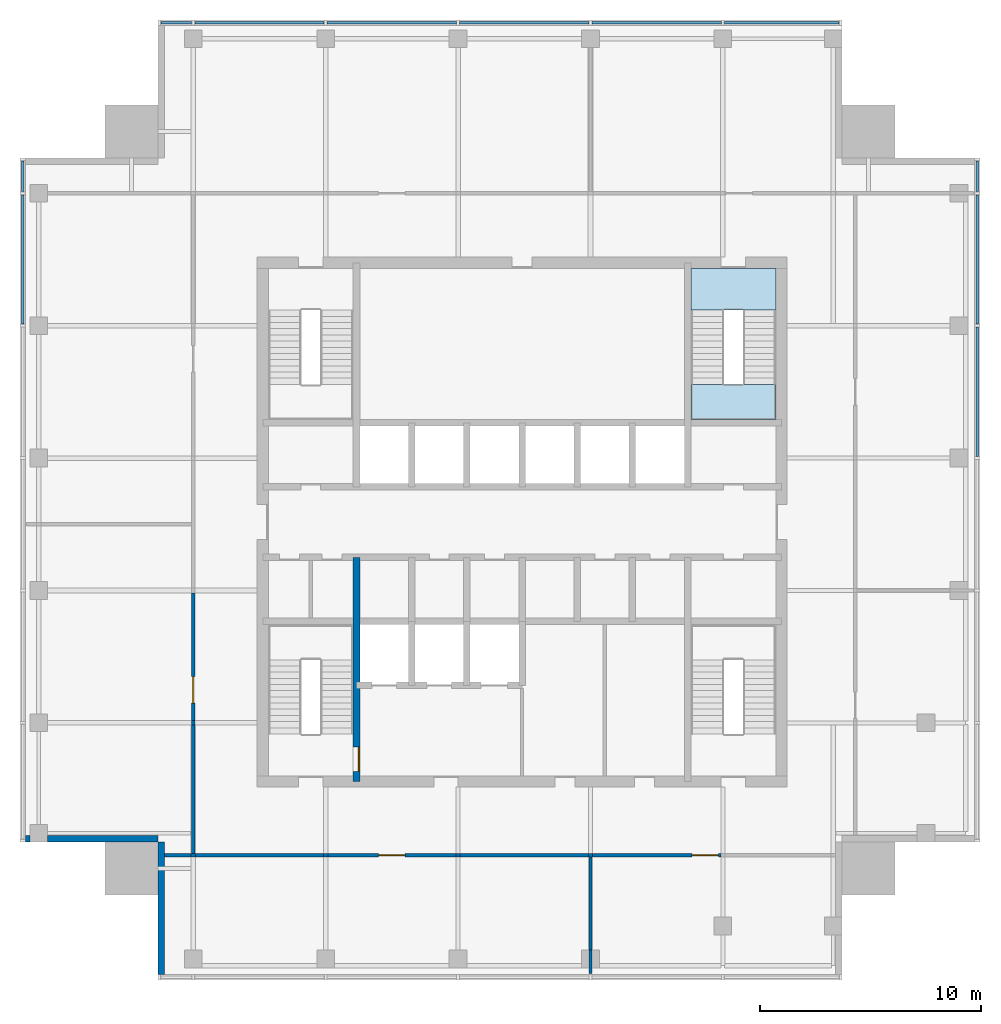
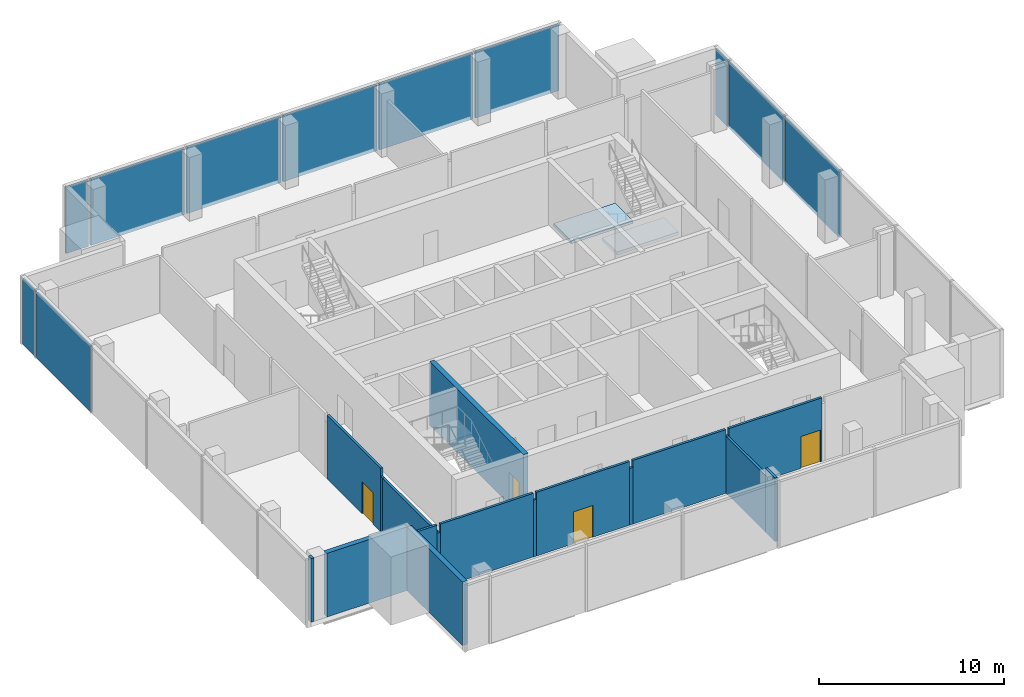
# One storey, part 3 of 7: 18 walls, 11 plates, 4 doors, 2 slabs, 4 openings, 4 elements without a shape of their own.
"""IFC4 building model written with IfcOpenShell, lengths in metres."""

from ifc_helpers import new_model, si_unit, direction, frame, frame_2d, origin, origin_2d, place, context, subcontext, project, spatial, polyline, rectangle, outline, extrude, material, layer, layer_set, type_object, element, fill, aggregate, save


model = new_model("IFC4")

# Units and contexts
model_context = context("Model", 3, precision=1e-05, world=origin(), true_north=direction((0.0, 1.0)))
body_context = subcontext(model_context, "Body", "Model", "MODEL_VIEW")
ifc_project = project(units=[si_unit("LENGTHUNIT", "METRE"), si_unit("AREAUNIT", "SQUARE_METRE"), si_unit("VOLUMEUNIT", "CUBIC_METRE"), si_unit("PLANEANGLEUNIT", "RADIAN"), si_unit("MASSUNIT", "GRAM", prefix="KILO")], contexts=[model_context])

# Site, building, storey
site_placement = place(None, origin())
site = spatial("IfcSite", under=ifc_project, at=site_placement, CompositionType="ELEMENT")
building_placement = place(site_placement, origin())
building = spatial("IfcBuilding", under=site, at=building_placement, Name="Amberfall Residences", CompositionType="ELEMENT")
storey_placement = place(building_placement, frame((0.0, 0.0, 281.800048828125)))
storey = spatial("IfcBuildingStorey", under=building, at=storey_placement, Name="L76 Crown", CompositionType="ELEMENT", Elevation=281.800048828125)

# Curtain wall, plates
ifc_material_1 = material(Name="Bronze anodised aluminium and glass", Category="aluminium")
curtain_wall_type = type_object("IfcCurtainWallType", Name="Curtain wall CW6 crown louvre", PredefinedType="USERDEFINED", material=ifc_material_1)
curtain_wall_1_placement = place(storey_placement, origin())
curtain_wall_1 = element("IfcCurtainWall", 1, at=curtain_wall_1_placement, inside=storey, type_object=curtain_wall_type, Name="Curtain wall L76 Crown E E1", ObjectType="UNITISED CURTAIN WALL", PredefinedType="USERDEFINED")
ifc_material_2 = material(Name="Bronze aluminium louvre", Category="aluminium")
ifc_layer_1 = layer(ifc_material_2, 0.1201171875)
ifc_layer_set_1 = layer_set([ifc_layer_1], Name="CW6 panel 120 louvre")
plate_type = type_object("IfcPlateType", Name="CW6 panel 120 louvre", PredefinedType="CURTAIN_PANEL", material=ifc_layer_set_1)
plate_1_placement = place(storey_placement, frame((95.125, 51.39990234375, -0.300048828125), z_axis=(0.0, 0.0, 1.0), x_axis=(0.0, 1.0, 0.0)))
plate_1 = element("IfcPlate", 2, at=plate_1_placement, type_object=plate_type, Name="CW6 panel 4.1", PredefinedType="CURTAIN_PANEL", context=body_context, shape_type="SweptSolid", body=[
    extrude(rectangle(XDim=5.85595703125, YDim=0.1201171875, at=origin_2d()), origin(), (0.0, 0.0, 1.0), 4.35009765625),
])
plate_2_placement = place(storey_placement, frame((95.125, 57.39990234375, -0.300048828125), z_axis=(0.0, 0.0, 1.0), x_axis=(0.0, 1.0, 0.0)))
plate_2 = element("IfcPlate", 3, at=plate_2_placement, type_object=plate_type, Name="CW6 panel 5.1", PredefinedType="CURTAIN_PANEL", context=body_context, shape_type="SweptSolid", body=[
    extrude(rectangle(XDim=5.85595703125, YDim=0.1201171875, at=origin_2d()), origin(), (0.0, 0.0, 1.0), 4.35009765625),
])
plate_3_placement = place(storey_placement, frame((95.125, 61.169921875, -0.300048828125), z_axis=(0.0, 0.0, 1.0), x_axis=(0.0, 1.0, 0.0)))
plate_3 = element("IfcPlate", 4, at=plate_3_placement, type_object=plate_type, Name="CW6 panel 6.1", PredefinedType="CURTAIN_PANEL", context=body_context, shape_type="SweptSolid", body=[
    extrude(rectangle(XDim=1.39599609375, YDim=0.1201171875, at=origin_2d()), origin(), (0.0, 0.0, 1.0), 4.35009765625),
])
aggregate(curtain_wall_1, [plate_1, plate_2, plate_3])

curtain_wall_2_placement = place(storey_placement, origin())
curtain_wall_2 = element("IfcCurtainWall", 5, at=curtain_wall_2_placement, inside=storey, type_object=curtain_wall_type, Name="Curtain wall L76 Crown N N1", ObjectType="UNITISED CURTAIN WALL", PredefinedType="USERDEFINED")
plate_4_placement = place(storey_placement, frame((86.27001953125, 68.125, -0.300048828125), z_axis=(0.0, 0.0, 1.0), x_axis=(-1.0, 0.0, 0.0)))
plate_4 = element("IfcPlate", 6, at=plate_4_placement, type_object=plate_type, Name="CW6 panel 1.1", PredefinedType="CURTAIN_PANEL", context=body_context, shape_type="SweptSolid", body=[
    extrude(rectangle(XDim=5.196044921875, YDim=0.1201171875, at=origin_2d()), origin(), (0.0, 0.0, 1.0), 4.35009765625),
])
plate_5_placement = place(storey_placement, frame((80.60009765625, 68.125, -0.300048828125), z_axis=(0.0, 0.0, 1.0), x_axis=(-1.0, 0.0, 0.0)))
plate_5 = element("IfcPlate", 7, at=plate_5_placement, type_object=plate_type, Name="CW6 panel 2.1", PredefinedType="CURTAIN_PANEL", context=body_context, shape_type="SweptSolid", body=[
    extrude(rectangle(XDim=5.85595703125, YDim=0.1201171875, at=origin_2d()), origin(), (0.0, 0.0, 1.0), 4.35009765625),
])
plate_6_placement = place(storey_placement, frame((74.60009765625, 68.125, -0.300048828125), z_axis=(0.0, 0.0, 1.0), x_axis=(-1.0, 0.0, 0.0)))
plate_6 = element("IfcPlate", 8, at=plate_6_placement, type_object=plate_type, Name="CW6 panel 3.1", PredefinedType="CURTAIN_PANEL", context=body_context, shape_type="SweptSolid", body=[
    extrude(rectangle(XDim=5.85595703125, YDim=0.1201171875, at=origin_2d()), origin(), (0.0, 0.0, 1.0), 4.35009765625),
])
plate_7_placement = place(storey_placement, frame((68.60009765625, 68.125, -0.300048828125), z_axis=(0.0, 0.0, 1.0), x_axis=(-1.0, 0.0, 0.0)))
plate_7 = element("IfcPlate", 9, at=plate_7_placement, type_object=plate_type, Name="CW6 panel 4.1", PredefinedType="CURTAIN_PANEL", context=body_context, shape_type="SweptSolid", body=[
    extrude(rectangle(XDim=5.85595703125, YDim=0.1201171875, at=origin_2d()), origin(), (0.0, 0.0, 1.0), 4.35009765625),
])
plate_8_placement = place(storey_placement, frame((62.60009765625, 68.125, -0.300048828125), z_axis=(0.0, 0.0, 1.0), x_axis=(-1.0, 0.0, 0.0)))
plate_8 = element("IfcPlate", 10, at=plate_8_placement, type_object=plate_type, Name="CW6 panel 5.1", PredefinedType="CURTAIN_PANEL", context=body_context, shape_type="SweptSolid", body=[
    extrude(rectangle(XDim=5.85595703125, YDim=0.1201171875, at=origin_2d()), origin(), (0.0, 0.0, 1.0), 4.35009765625),
])
plate_9_placement = place(storey_placement, frame((58.830078125, 68.125, -0.300048828125), z_axis=(0.0, 0.0, 1.0), x_axis=(-1.0, 0.0, 0.0)))
plate_9 = element("IfcPlate", 11, at=plate_9_placement, type_object=plate_type, Name="CW6 panel 6.1", PredefinedType="CURTAIN_PANEL", context=body_context, shape_type="SweptSolid", body=[
    extrude(rectangle(XDim=1.39599609375, YDim=0.1201171875, at=origin_2d()), origin(), (0.0, 0.0, 1.0), 4.35009765625),
])
aggregate(curtain_wall_2, [plate_4, plate_5, plate_6, plate_7, plate_8, plate_9])

curtain_wall_3_placement = place(storey_placement, origin())
curtain_wall_3 = element("IfcCurtainWall", 12, at=curtain_wall_3_placement, inside=storey, type_object=curtain_wall_type, Name="Curtain wall L76 Crown W W1", ObjectType="UNITISED CURTAIN WALL", PredefinedType="USERDEFINED")
plate_10_placement = place(storey_placement, frame((51.875, 61.169921875, -0.300048828125), z_axis=(0.0, 0.0, 1.0), x_axis=(0.0, -1.0, 0.0)))
plate_10 = element("IfcPlate", 13, at=plate_10_placement, type_object=plate_type, Name="CW6 panel 1.1", PredefinedType="CURTAIN_PANEL", context=body_context, shape_type="SweptSolid", body=[
    extrude(rectangle(XDim=1.39599609375, YDim=0.1201171875, at=origin_2d()), origin(), (0.0, 0.0, 1.0), 4.35009765625),
])
plate_11_placement = place(storey_placement, frame((51.875, 57.39990234375, -0.300048828125), z_axis=(0.0, 0.0, 1.0), x_axis=(0.0, -1.0, 0.0)))
plate_11 = element("IfcPlate", 14, at=plate_11_placement, type_object=plate_type, Name="CW6 panel 2.1", PredefinedType="CURTAIN_PANEL", context=body_context, shape_type="SweptSolid", body=[
    extrude(rectangle(XDim=5.85595703125, YDim=0.1201171875, at=origin_2d()), origin(), (0.0, 0.0, 1.0), 4.35009765625),
])
aggregate(curtain_wall_3, [plate_10, plate_11])

# Stair, slabs
ifc_material_3 = material(Name="Concrete C40", Category="concrete")
stair_type = type_object("IfcStairType", Name="Exit stair 26 risers 173.1 mm", PredefinedType="HALF_TURN_STAIR", material=ifc_material_3)
stair_placement = place(storey_placement, origin())
stair = element("IfcStair", 15, at=stair_placement, inside=storey, type_object=stair_type, Name="L76 Crown Exit stair 3", PredefinedType="HALF_TURN_STAIR")
ifc_layer_2 = layer(ifc_material_3, 0.199951171875)
ifc_layer_set_2 = layer_set([ifc_layer_2], Name="Stair landing 200")
slab_type = type_object("IfcSlabType", Name="Stair landing 200", PredefinedType="LANDING", material=ifc_layer_set_2)
slab_1_placement = place(storey_placement, frame((0.0, 0.0, 2.050048828125)))
slab_1 = element("IfcSlab", 16, at=slab_1_placement, type_object=slab_type, Name="ST2 landing 1", PredefinedType="LANDING", context=body_context, shape_type="SweptSolid", body=[
    extrude(outline(polyline([(82.14990234375, 51.739990234375), (82.14990234375, 50.14990234375), (86.0, 50.14990234375), (86.0, 51.739990234375), (82.14990234375, 51.739990234375)])), origin(), (0.0, 0.0, 1.0), 0.199951171875),
])
slab_2_placement = place(storey_placement, frame((0.0, 0.0, -0.199951171875)))
slab_2 = element("IfcSlab", 17, at=slab_2_placement, type_object=slab_type, Name="ST2 landing 2", PredefinedType="LANDING", context=body_context, shape_type="SweptSolid", body=[
    extrude(outline(polyline([(82.14990234375, 57.0), (82.14990234375, 55.10009765625), (86.0, 55.10009765625), (86.0, 57.0), (82.14990234375, 57.0)])), origin(), (0.0, 0.0, 1.0), 0.199951171875),
])
aggregate(stair, [slab_1, slab_2])

# Wall, opening, door
ifc_material_4 = material(Name="Concrete C50", Category="concrete")
ifc_layer_3 = layer(ifc_material_4, 0.300048828125)
ifc_layer_set_3 = layer_set([ifc_layer_3], Name="Core wall 300 C50")
wall_type_1 = type_object("IfcWallType", Name="Core wall 300 C50", PredefinedType="SHEAR", material=ifc_layer_set_3)
wall_1_placement = place(storey_placement, frame((67.0, 33.75, 0.0), z_axis=(0.0, 0.0, 1.0), x_axis=(0.0, 1.0, 0.0)))
wall_1 = element("IfcWall", 18, at=wall_1_placement, inside=storey, type_object=wall_type_1, Name="Core wall RW10 L76 Crown V45S", PredefinedType="SHEAR", context=body_context, shape_type="SweptSolid", body=[
    extrude(rectangle(XDim=10.14990234375, YDim=0.300048828125, at=frame_2d((5.074951171875, 0.0))), origin(), (0.0, 0.0, 1.0), 4.199951171875),
])
opening_1_placement = place(wall_1_placement, frame((0.449951171875, 0.0, 0.0)))
opening_1 = element("IfcOpeningElement", 19, at=opening_1_placement, cuts=wall_1, Name="Opening FL1", PredefinedType="OPENING", context=body_context, shape_type="SweptSolid", body=[
    extrude(rectangle(XDim=1.10009765625, YDim=2.10009765625, at=frame_2d((0.550048828125, 1.050048828125))), frame((0.0, 0.159912109375, 0.0), z_axis=(0.0, -1.0, 0.0), x_axis=(1.0, 0.0, 0.0)), (0.0, 0.0, 1.0), 0.320068359375),
])
ifc_material_5 = material(Name="Steel fire door set", Category="steel")
door_type_1 = type_object("IfcDoorType", Name="Firefighting lobby door 1100 x 2100", OperationType="SINGLE_SWING_LEFT", PredefinedType="DOOR", material=ifc_material_5)
door_1_placement = place(opening_1_placement, origin())
door_1 = element("IfcDoor", 20, at=door_1_placement, inside=storey, type_object=door_type_1, Name="FL1 L76 Crown", OperationType="SINGLE_SWING_RIGHT", OverallHeight=2.10009765625, OverallWidth=1.10009765625, PredefinedType="DOOR", context=body_context, shape_type="SweptSolid", body=[
    extrude(rectangle(XDim=1.10009765625, YDim=2.10009765625, at=frame_2d((0.550048828125, 1.050048828125))), frame((0.0, -0.08740234375, 0.0), z_axis=(0.0, -1.0, 0.0), x_axis=(1.0, 0.0, 0.0)), (0.0, 0.0, 1.0), 0.050048828125),
])
fill(opening_1, door_1)

# Walls
ifc_material_6 = material(Name="Bronze aluminium louvre cladding on insulated backing", Category="aluminium")
ifc_layer_4 = layer(ifc_material_6, 0.300048828125)
ifc_layer_set_4 = layer_set([ifc_layer_4], Name="Louvre clad wall 300")
wall_type_2 = type_object("IfcWallType", Name="Louvre clad wall 300", PredefinedType="SOLIDWALL", material=ifc_layer_set_4)
wall_2_placement = place(storey_placement, frame((52.0, 31.14990234375, 0.0), z_axis=(0.0, 0.0, 1.0), x_axis=(1.0, 0.0, 0.0)))
element("IfcWall", 21, at=wall_2_placement, inside=storey, type_object=wall_type_2, Name="External wall L76 Crown SW", PredefinedType="SOLIDWALL", context=body_context, shape_type="SweptSolid", body=[
    extrude(rectangle(XDim=0.199951171875, YDim=0.300048828125, at=frame_2d((0.10009765625, 0.0))), origin(), (0.0, 0.0, 1.0), 4.199951171875),
])
wall_3_placement = place(storey_placement, frame((53.0, 31.14990234375, 0.0), z_axis=(0.0, 0.0, 1.0), x_axis=(1.0, 0.0, 0.0)))
element("IfcWall", 22, at=wall_3_placement, inside=storey, type_object=wall_type_2, Name="External wall L76 Crown SW", PredefinedType="SOLIDWALL", context=body_context, shape_type="SweptSolid", body=[
    extrude(rectangle(XDim=5.0, YDim=0.300048828125, at=frame_2d((2.5, 0.0))), origin(), (0.0, 0.0, 1.0), 4.199951171875),
])
wall_4_placement = place(storey_placement, frame((58.14990234375, 31.0, 0.0), z_axis=(0.0, 0.0, 1.0), x_axis=(0.0, -1.0, 0.0)))
element("IfcWall", 23, at=wall_4_placement, inside=storey, type_object=wall_type_2, Name="External wall L76 Crown SW", PredefinedType="SOLIDWALL", context=body_context, shape_type="SweptSolid", body=[
    extrude(rectangle(XDim=6.0, YDim=0.300048828125, at=frame_2d((3.0, 0.0))), origin(), (0.0, 0.0, 1.0), 4.199951171875),
])
ifc_material_7 = material(Name="Fire-rated gypsum board on steel studs", Category="steel")
ifc_layer_5 = layer(ifc_material_7, 0.14990234375)
ifc_layer_set_5 = layer_set([ifc_layer_5], Name="Partition 150 fire-rated")
wall_type_3 = type_object("IfcWallType", Name="Partition 150 fire-rated", PredefinedType="PARTITIONING", material=ifc_layer_set_5)
wall_5_placement = place(storey_placement, frame((58.300048828125, 30.39990234375, 0.0), z_axis=(0.0, 0.0, 1.0), x_axis=(1.0, 0.0, 0.0)))
element("IfcWall", 24, at=wall_5_placement, inside=storey, type_object=wall_type_3, Name="Partition 150 fire-rated L76 Crown 001", PredefinedType="PARTITIONING", context=body_context, shape_type="SweptSolid", body=[
    extrude(rectangle(XDim=1.1953125, YDim=0.14990234375, at=frame_2d((0.59765625, 0.0))), origin(), (0.0, 0.0, 1.0), 4.199951171875),
])
wall_6_placement = place(storey_placement, frame((59.495361328125, 30.39990234375, 0.0), z_axis=(0.0, 0.0, 1.0), x_axis=(1.0, 0.0, 0.0)))
element("IfcWall", 25, at=wall_6_placement, inside=storey, type_object=wall_type_3, Name="Partition 150 fire-rated L76 Crown 002", PredefinedType="PARTITIONING", context=body_context, shape_type="SweptSolid", body=[
    extrude(rectangle(XDim=0.209228515625, YDim=0.14990234375, at=frame_2d((0.1044921875, 0.0))), origin(), (0.0, 0.0, 1.0), 3.6669921875),
])
wall_7_placement = place(storey_placement, frame((59.70458984375, 30.39990234375, 0.0), z_axis=(0.0, 0.0, 1.0), x_axis=(1.0, 0.0, 0.0)))
element("IfcWall", 26, at=wall_7_placement, inside=storey, type_object=wall_type_3, Name="Partition 150 fire-rated L76 Crown 003", PredefinedType="PARTITIONING", context=body_context, shape_type="SweptSolid", body=[
    extrude(rectangle(XDim=5.7998046875, YDim=0.14990234375, at=frame_2d((2.89990234375, 0.0))), origin(), (0.0, 0.0, 1.0), 4.199951171875),
])
wall_8_placement = place(storey_placement, frame((65.50439453125, 30.39990234375, 0.0), z_axis=(0.0, 0.0, 1.0), x_axis=(1.0, 0.0, 0.0)))
element("IfcWall", 27, at=wall_8_placement, inside=storey, type_object=wall_type_3, Name="Partition 150 fire-rated L76 Crown 004", PredefinedType="PARTITIONING", context=body_context, shape_type="SweptSolid", body=[
    extrude(rectangle(XDim=0.19140625, YDim=0.14990234375, at=frame_2d((0.095703125, 0.0))), origin(), (0.0, 0.0, 1.0), 3.739990234375),
])

# Wall, opening, door
wall_9_placement = place(storey_placement, frame((65.69580078125, 30.39990234375, 0.0), z_axis=(0.0, 0.0, 1.0), x_axis=(1.0, 0.0, 0.0)))
wall_9 = element("IfcWall", 28, at=wall_9_placement, inside=storey, type_object=wall_type_3, Name="Partition 150 fire-rated L76 Crown 005", PredefinedType="PARTITIONING", context=body_context, shape_type="SweptSolid", body=[
    extrude(rectangle(XDim=5.80859375, YDim=0.14990234375, at=frame_2d((2.904296875, 0.0))), origin(), (0.0, 0.0, 1.0), 4.199951171875),
])
opening_2_placement = place(wall_9_placement, frame((2.30419921875, 0.0, 0.0)))
opening_2 = element("IfcOpeningElement", 29, at=opening_2_placement, cuts=wall_9, Name="Opening D7", PredefinedType="OPENING", context=body_context, shape_type="SweptSolid", body=[
    extrude(rectangle(XDim=1.199951171875, YDim=2.10009765625, at=frame_2d((0.60009765625, 1.050048828125))), frame((0.0, 0.0849609375, 0.0), z_axis=(0.0, -1.0, 0.0), x_axis=(1.0, 0.0, 0.0)), (0.0, 0.0, 1.0), 0.169921875),
])
ifc_material_8 = material(Name="Steel fire door leaf", Category="steel")
door_type_2 = type_object("IfcDoorType", Name="Plant room door 1200x2100", OperationType="SINGLE_SWING_LEFT", PredefinedType="DOOR", material=ifc_material_8)
door_2_placement = place(opening_2_placement, origin())
door_2 = element("IfcDoor", 30, at=door_2_placement, inside=storey, type_object=door_type_2, Name="Door Domestic water tank room", OperationType="SINGLE_SWING_LEFT", OverallHeight=2.10009765625, OverallWidth=1.199951171875, PredefinedType="DOOR", context=body_context, shape_type="SweptSolid", body=[
    extrude(rectangle(XDim=1.199951171875, YDim=2.10009765625, at=frame_2d((0.60009765625, 1.050048828125))), frame((0.0, 0.02490234375, 0.0), z_axis=(0.0, -1.0, 0.0), x_axis=(1.0, 0.0, 0.0)), (0.0, 0.0, 1.0), 0.050048828125),
])
fill(opening_2, door_2)

# Walls
wall_10_placement = place(storey_placement, frame((71.50439453125, 30.39990234375, 0.0), z_axis=(0.0, 0.0, 1.0), x_axis=(1.0, 0.0, 0.0)))
element("IfcWall", 31, at=wall_10_placement, inside=storey, type_object=wall_type_3, Name="Partition 150 fire-rated L76 Crown 006", PredefinedType="PARTITIONING", context=body_context, shape_type="SweptSolid", body=[
    extrude(rectangle(XDim=0.19140625, YDim=0.14990234375, at=frame_2d((0.095703125, 0.0))), origin(), (0.0, 0.0, 1.0), 3.739990234375),
])
wall_11_placement = place(storey_placement, frame((71.69580078125, 30.39990234375, 0.0), z_axis=(0.0, 0.0, 1.0), x_axis=(1.0, 0.0, 0.0)))
element("IfcWall", 32, at=wall_11_placement, inside=storey, type_object=wall_type_3, Name="Partition 150 fire-rated L76 Crown 007", PredefinedType="PARTITIONING", context=body_context, shape_type="SweptSolid", body=[
    extrude(rectangle(XDim=5.80859375, YDim=0.14990234375, at=frame_2d((2.904296875, 0.0))), origin(), (0.0, 0.0, 1.0), 4.199951171875),
])
wall_12_placement = place(storey_placement, frame((77.50439453125, 30.39990234375, 0.0), z_axis=(0.0, 0.0, 1.0), x_axis=(1.0, 0.0, 0.0)))
element("IfcWall", 33, at=wall_12_placement, inside=storey, type_object=wall_type_3, Name="Partition 150 fire-rated L76 Crown 008", PredefinedType="PARTITIONING", context=body_context, shape_type="SweptSolid", body=[
    extrude(rectangle(XDim=0.19140625, YDim=0.14990234375, at=frame_2d((0.095703125, 0.0))), origin(), (0.0, 0.0, 1.0), 3.739990234375),
])

# Wall, opening, door
wall_13_placement = place(storey_placement, frame((77.69580078125, 30.39990234375, 0.0), z_axis=(0.0, 0.0, 1.0), x_axis=(1.0, 0.0, 0.0)))
wall_13 = element("IfcWall", 34, at=wall_13_placement, inside=storey, type_object=wall_type_3, Name="Partition 150 fire-rated L76 Crown 009", PredefinedType="PARTITIONING", context=body_context, shape_type="SweptSolid", body=[
    extrude(rectangle(XDim=5.8154296875, YDim=0.14990234375, at=frame_2d((2.90771484375, 0.0))), origin(), (0.0, 0.0, 1.0), 4.199951171875),
])
opening_3_placement = place(wall_13_placement, frame((4.50439453125, 0.0, 0.0)))
opening_3 = element("IfcOpeningElement", 35, at=opening_3_placement, cuts=wall_13, Name="Opening D7", PredefinedType="OPENING", context=body_context, shape_type="SweptSolid", body=[
    extrude(rectangle(XDim=1.199951171875, YDim=2.10009765625, at=frame_2d((0.60009765625, 1.050048828125))), frame((0.0, 0.0849609375, 0.0), z_axis=(0.0, -1.0, 0.0), x_axis=(1.0, 0.0, 0.0)), (0.0, 0.0, 1.0), 0.169921875),
])
door_3_placement = place(opening_3_placement, origin())
door_3 = element("IfcDoor", 36, at=door_3_placement, inside=storey, type_object=door_type_2, Name="Door Fire water tank room", OperationType="SINGLE_SWING_LEFT", OverallHeight=2.10009765625, OverallWidth=1.199951171875, PredefinedType="DOOR", context=body_context, shape_type="SweptSolid", body=[
    extrude(rectangle(XDim=1.199951171875, YDim=2.10009765625, at=frame_2d((0.60009765625, 1.050048828125))), frame((0.0, 0.02490234375, 0.0), z_axis=(0.0, -1.0, 0.0), x_axis=(1.0, 0.0, 0.0)), (0.0, 0.0, 1.0), 0.050048828125),
])
fill(opening_3, door_3)

# Walls
wall_14_placement = place(storey_placement, frame((59.60009765625, 30.47509765625, 0.0), z_axis=(0.0, 0.0, 1.0), x_axis=(0.0, 1.0, 0.0)))
element("IfcWall", 37, at=wall_14_placement, inside=storey, type_object=wall_type_3, Name="Partition 150 fire-rated L76 Crown 032", PredefinedType="PARTITIONING", context=body_context, shape_type="SweptSolid", body=[
    extrude(rectangle(XDim=5.8203125, YDim=0.14990234375, at=frame_2d((2.91015625, 0.0))), origin(), (0.0, 0.0, 1.0), 3.6669921875),
])
wall_15_placement = place(storey_placement, frame((59.60009765625, 36.30029296875, 0.0), z_axis=(0.0, 0.0, 1.0), x_axis=(0.0, 1.0, 0.0)))
element("IfcWall", 38, at=wall_15_placement, inside=storey, type_object=wall_type_3, Name="Partition 150 fire-rated L76 Crown 033", PredefinedType="PARTITIONING", context=body_context, shape_type="SweptSolid", body=[
    extrude(rectangle(XDim=0.204345703125, YDim=0.14990234375, at=frame_2d((0.10205078125, 0.0))), origin(), (0.0, 0.0, 1.0), 3.6669921875),
])

# Wall, opening, door
wall_16_placement = place(storey_placement, frame((59.60009765625, 36.504638671875, 0.0), z_axis=(0.0, 0.0, 1.0), x_axis=(0.0, 1.0, 0.0)))
wall_16 = element("IfcWall", 39, at=wall_16_placement, inside=storey, type_object=wall_type_3, Name="Partition 150 fire-rated L76 Crown 034", PredefinedType="PARTITIONING", context=body_context, shape_type="SweptSolid", body=[
    extrude(rectangle(XDim=5.790771484375, YDim=0.14990234375, at=frame_2d((2.8955078125, 0.0))), origin(), (0.0, 0.0, 1.0), 4.199951171875),
])
opening_4_placement = place(wall_16_placement, frame((0.79541015625, 0.0, 0.0)))
opening_4 = element("IfcOpeningElement", 40, at=opening_4_placement, cuts=wall_16, Name="Opening D7", PredefinedType="OPENING", context=body_context, shape_type="SweptSolid", body=[
    extrude(rectangle(XDim=1.199951171875, YDim=2.10009765625, at=frame_2d((0.60009765625, 1.050048828125))), frame((0.0, 0.0849609375, 0.0), z_axis=(0.0, -1.0, 0.0), x_axis=(1.0, 0.0, 0.0)), (0.0, 0.0, 1.0), 0.169921875),
])
door_4_placement = place(opening_4_placement, origin())
door_4 = element("IfcDoor", 41, at=door_4_placement, inside=storey, type_object=door_type_2, Name="Door Booster pump plant room", OperationType="SINGLE_SWING_LEFT", OverallHeight=2.10009765625, OverallWidth=1.199951171875, PredefinedType="DOOR", context=body_context, shape_type="SweptSolid", body=[
    extrude(rectangle(XDim=1.199951171875, YDim=2.10009765625, at=frame_2d((0.60009765625, 1.050048828125))), frame((0.0, 0.02490234375, 0.0), z_axis=(0.0, -1.0, 0.0), x_axis=(1.0, 0.0, 0.0)), (0.0, 0.0, 1.0), 0.050048828125),
])
fill(opening_4, door_4)

# Walls
wall_17_placement = place(storey_placement, frame((77.60009765625, 25.050048828125, 0.0), z_axis=(0.0, 0.0, 1.0), x_axis=(0.0, 1.0, 0.0)))
element("IfcWall", 42, at=wall_17_placement, inside=storey, type_object=wall_type_3, Name="Partition 150 fire-rated L76 Crown 041", PredefinedType="PARTITIONING", context=body_context, shape_type="SweptSolid", body=[
    extrude(rectangle(XDim=1.050048828125, YDim=0.14990234375, at=frame_2d((0.52490234375, 0.0))), origin(), (0.0, 0.0, 1.0), 4.199951171875),
])
wall_18_placement = place(storey_placement, frame((77.60009765625, 26.10009765625, 0.0), z_axis=(0.0, 0.0, 1.0), x_axis=(0.0, 1.0, 0.0)))
element("IfcWall", 43, at=wall_18_placement, inside=storey, type_object=wall_type_3, Name="Partition 150 fire-rated L76 Crown 042", PredefinedType="PARTITIONING", context=body_context, shape_type="SweptSolid", body=[
    extrude(rectangle(XDim=4.224853515625, YDim=0.14990234375, at=frame_2d((2.1123046875, 0.0))), origin(), (0.0, 0.0, 1.0), 3.739990234375),
])

save(model, "model.ifc")
